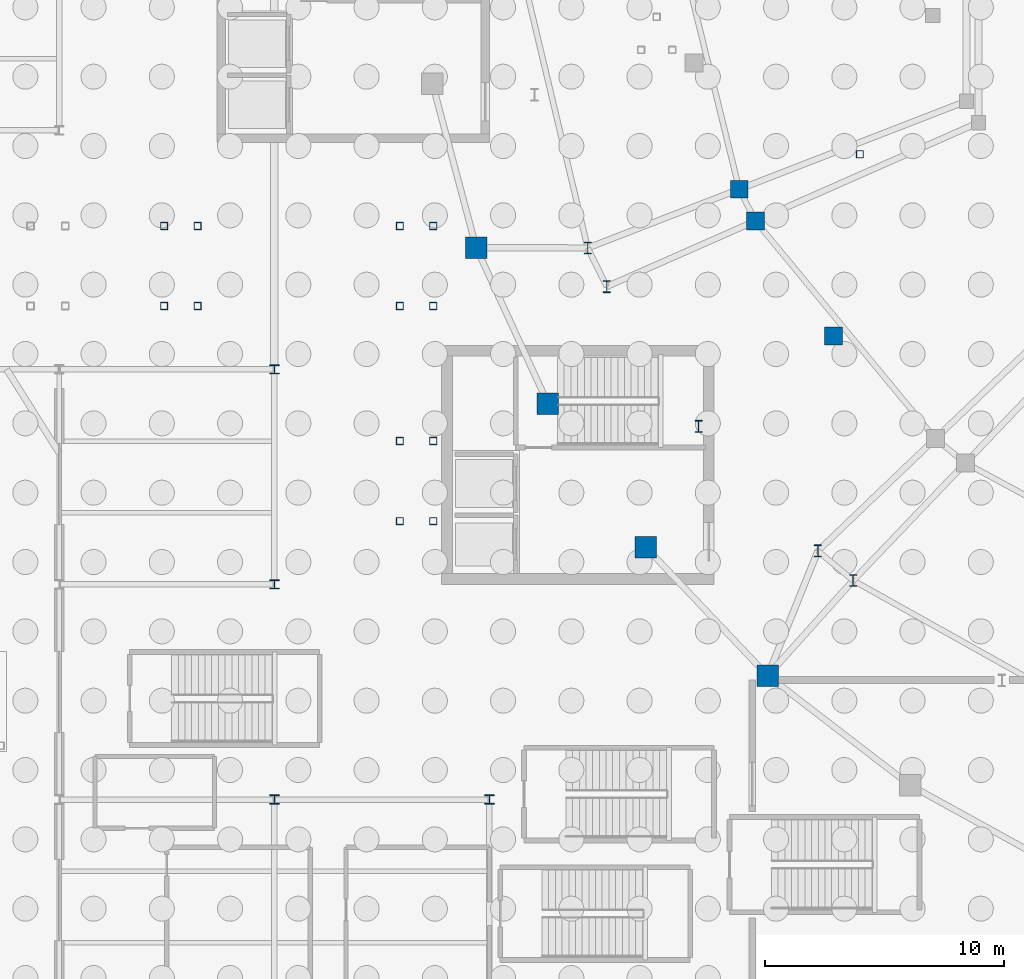
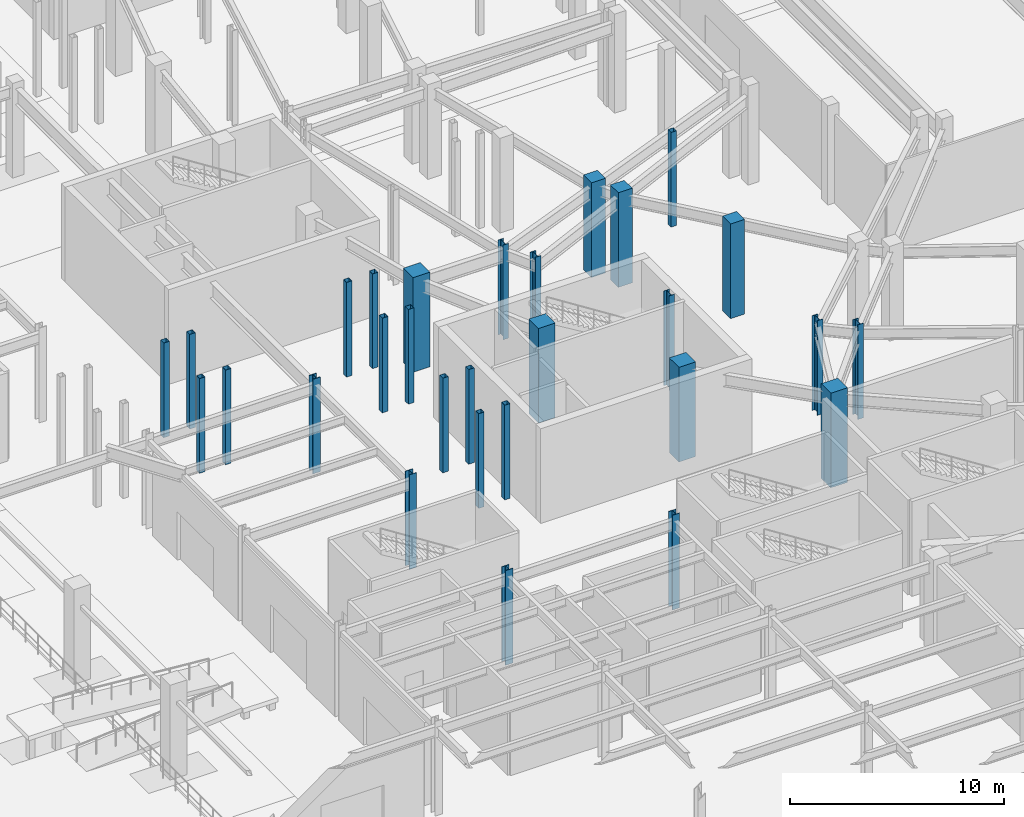
# One storey, part 13 of 56: 29 columns.
"""IFC4 building model written with IfcOpenShell, lengths in metres."""

from ifc_helpers import new_model, si_unit, direction, frame, origin, origin_2d, place, context, subcontext, project, spatial, rectangle, hollow_rectangle, i_section, extrude, material, material_profile, profile_set, type_object, element, save


model = new_model("IFC4")

# Units and contexts
model_context = context("Model", 3, precision=1e-05, world=origin(), true_north=direction((0.0, 1.0)))
body_context = subcontext(model_context, "Body", "Model", "MODEL_VIEW")
ifc_project = project(units=[si_unit("LENGTHUNIT", "METRE"), si_unit("AREAUNIT", "SQUARE_METRE"), si_unit("VOLUMEUNIT", "CUBIC_METRE"), si_unit("PLANEANGLEUNIT", "RADIAN"), si_unit("MASSUNIT", "GRAM", prefix="KILO")], contexts=[model_context])

# Site, building, storey
site_placement = place(None, origin())
site = spatial("IfcSite", under=ifc_project, at=site_placement, CompositionType="ELEMENT")
building_placement = place(site_placement, origin())
building = spatial("IfcBuilding", under=site, at=building_placement, Name="Glasvene Arena", CompositionType="ELEMENT")
storey_placement = place(building_placement, frame((0.0, 0.0, -5.39990234375)))
storey = spatial("IfcBuildingStorey", under=building, at=storey_placement, Name="B1", CompositionType="ELEMENT", Elevation=-5.39990234375)

# Columns
ifc_material_1 = material(Name="Concrete C40/50", Category="concrete")
ifc_material_profile_1 = material_profile(ifc_material_1, rectangle(XDim=0.89990234375, YDim=0.89990234375, at=origin_2d()), Name="RC 900x900")
ifc_profile_set_1 = profile_set([ifc_material_profile_1], Name="Concrete C40/50")
column_type_1 = type_object("IfcColumnType", Name="COL-BOWL-RC900", PredefinedType="COLUMN", material=ifc_profile_set_1)
for number, where, z_axis, x_axis, name in (
    (1, (44.447265625, 59.09423828125, 0.0), (0.0, 0.0, 1.0), (1.0, 0.0, 0.0), "Bowl ring column R23 B1"),
    (2, (47.44970703125, 52.5703125, 0.0), (0.0, 0.0, 1.0), (1.0, 0.0, 0.0), "Bowl ring column R24 B1"),
    (3, (51.54931640625, 46.5498046875, 0.0), (0.0, 0.0, 1.0), (1.0, 0.0, 0.0), "Bowl ring column R25 B1"),
    (4, (56.644775390625, 41.18017578125, 0.0), (0.0, 0.0, 1.0), (1.0, 0.0, 0.0), "Bowl ring column R26 B1"),
):
    element("IfcColumn", number, at=place(storey_placement, frame(where, z_axis=z_axis, x_axis=x_axis)), inside=storey, type_object=column_type_1, Name=name, PredefinedType="COLUMN", context=body_context, shape_type="SweptSolid", body=[
        extrude(rectangle(XDim=0.89990234375, YDim=0.89990234375, at=origin_2d()), origin(), (0.0, 0.0, 1.0), 5.39990234375),
    ])
ifc_material_profile_2 = material_profile(ifc_material_1, rectangle(XDim=0.75, YDim=0.75, at=origin_2d()), Name="RC 750x750")
ifc_profile_set_2 = profile_set([ifc_material_profile_2], Name="Concrete C40/50")
column_type_2 = type_object("IfcColumnType", Name="COL-MID-RC750", PredefinedType="COLUMN", material=ifc_profile_set_2)
for number, where, z_axis, x_axis, name in (
    (5, (55.452880859375, 61.53662109375, 0.0), (0.0, 0.0, 1.0), (1.0, 0.0, 0.0), "Mid-bowl fulcrum column B1 09-2"),
    (6, (56.133544921875, 60.20751953125, 0.0), (0.0, 0.0, 1.0), (1.0, 0.0, 0.0), "Mid-bowl fulcrum column B1 10-1"),
    (7, (59.406494140625, 55.388427734375, 0.0), (0.0, 0.0, 1.0), (1.0, 0.0, 0.0), "Mid-sector fulcrum column B1 10"),
):
    element("IfcColumn", number, at=place(storey_placement, frame(where, z_axis=z_axis, x_axis=x_axis)), inside=storey, type_object=column_type_2, Name=name, PredefinedType="COLUMN", context=body_context, shape_type="SweptSolid", body=[
        extrude(rectangle(XDim=0.75, YDim=0.75, at=origin_2d()), origin(), (0.0, 0.0, 1.0), 5.39990234375),
    ])
ifc_material_2 = material(Name="Steel S355J2", Category="steel")
ifc_material_profile_3 = material_profile(ifc_material_2, i_section(OverallWidth=0.300048828125, OverallDepth=0.5, WebThickness=0.014404296875, FlangeThickness=0.028076171875, FilletRadius=0.027099609375, at=origin_2d()), Name="HEB 500")
ifc_profile_set_3 = profile_set([ifc_material_profile_3], Name="Steel S355J2")
column_type_3 = type_object("IfcColumnType", Name="COL-W-HEB500", PredefinedType="COLUMN", material=ifc_profile_set_3)
for number, where, z_axis, x_axis, name in (
    (8, (49.113037109375, 59.077392578125, 0.0), (0.0, 0.0, 1.0), (1.0, 0.0, 0.0), "Upper raker rear column B1 09-2"),
    (9, (49.911865234375, 57.46337890625, 0.0), (0.0, 0.0, 1.0), (1.0, 0.0, 0.0), "Upper raker rear column B1 10-1"),
    (10, (58.743408203125, 46.40087890625, 0.0), (0.0, 0.0, 1.0), (1.0, 0.0, 0.0), "Upper raker rear column B1 10-2"),
    (11, (60.219482421875, 45.165771484375, 0.0), (0.0, 0.0, 1.0), (1.0, 0.0, 0.0), "Upper raker rear column B1 11-1"),
    (12, (53.75244140625, 51.610595703125, 0.0), (0.0, 0.0, 1.0), (1.0, 0.0, 0.0), "Mid-sector rear raker column B1 10"),
):
    element("IfcColumn", number, at=place(storey_placement, frame(where, z_axis=z_axis, x_axis=x_axis)), inside=storey, type_object=column_type_3, Name=name, PredefinedType="COLUMN", context=body_context, shape_type="SweptSolid", body=[
        extrude(i_section(OverallWidth=0.300048828125, OverallDepth=0.5, WebThickness=0.014404296875, FlangeThickness=0.028076171875, FilletRadius=0.027099609375, at=origin_2d()), origin(), (0.0, 0.0, 1.0), 5.39990234375),
    ])
ifc_material_profile_4 = material_profile(ifc_material_2, hollow_rectangle(XDim=0.300048828125, YDim=0.300048828125, WallThickness=0.012451171875, at=origin_2d()), Name="SHS 300x300x12.5")
ifc_profile_set_4 = profile_set([ifc_material_profile_4], Name="Steel S355J2")
column_type_4 = type_object("IfcColumnType", Name="COL-W-SHS300", PredefinedType="COLUMN", material=ifc_profile_set_4)
for number, where, z_axis, x_axis, name in (
    (13, (60.5, 63.0, 0.0), (0.0, 0.0, 1.0), (1.0, 0.0, 0.0), "Sector 3-3 support column B1-1"),
    (14, (41.25, 47.64990234375, 0.0), (0.0, 0.0, 1.0), (1.0, 0.0, 0.0), "Vomitory landing column VOM-01 B1"),
    (15, (41.25, 51.0, 0.0), (0.0, 0.0, 1.0), (1.0, 0.0, 0.0), "Vomitory landing column VOM-01 B1"),
    (16, (42.64990234375, 47.64990234375, 0.0), (0.0, 0.0, 1.0), (1.0, 0.0, 0.0), "Vomitory landing column VOM-01 B1"),
    (17, (42.64990234375, 51.0, 0.0), (0.0, 0.0, 1.0), (1.0, 0.0, 0.0), "Vomitory landing column VOM-01 B1"),
    (18, (41.25, 56.64990234375, 0.0), (0.0, 0.0, 1.0), (1.0, 0.0, 0.0), "Vomitory landing column VOM-03 B1"),
    (19, (41.25, 60.0, 0.0), (0.0, 0.0, 1.0), (1.0, 0.0, 0.0), "Vomitory landing column VOM-03 B1"),
    (20, (42.64990234375, 56.64990234375, 0.0), (0.0, 0.0, 1.0), (1.0, 0.0, 0.0), "Vomitory landing column VOM-03 B1"),
    (21, (42.64990234375, 60.0, 0.0), (0.0, 0.0, 1.0), (1.0, 0.0, 0.0), "Vomitory landing column VOM-03 B1"),
    (22, (31.389892578125, 56.64990234375, 0.0), (0.0, 0.0, 1.0), (1.0, 0.0, 0.0), "Vomitory landing column VOM-05 B1"),
    (23, (31.389892578125, 60.0, 0.0), (0.0, 0.0, 1.0), (1.0, 0.0, 0.0), "Vomitory landing column VOM-05 B1"),
    (24, (32.7900390625, 56.64990234375, 0.0), (0.0, 0.0, 1.0), (1.0, 0.0, 0.0), "Vomitory landing column VOM-05 B1"),
    (25, (32.7900390625, 60.0, 0.0), (0.0, 0.0, 1.0), (1.0, 0.0, 0.0), "Vomitory landing column VOM-05 B1"),
):
    element("IfcColumn", number, at=place(storey_placement, frame(where, z_axis=z_axis, x_axis=x_axis)), inside=storey, type_object=column_type_4, Name=name, PredefinedType="COLUMN", context=body_context, shape_type="SweptSolid", body=[
        extrude(hollow_rectangle(XDim=0.300048828125, YDim=0.300048828125, WallThickness=0.012451171875, at=origin_2d()), origin(), (0.0, 0.0, 1.0), 5.39990234375),
    ])
ifc_material_profile_5 = material_profile(ifc_material_2, i_section(OverallWidth=0.394775390625, OverallDepth=0.381103515625, WebThickness=0.018310546875, FlangeThickness=0.0302734375, FilletRadius=0.01513671875, at=origin_2d()), Name="UKC 356x406x235")
ifc_profile_set_5 = profile_set([ifc_material_profile_5], Name="Steel S355J2")
column_type_5 = type_object("IfcColumnType", Name="COL-W-UKC235", PredefinedType="COLUMN", material=ifc_profile_set_5)
for number, where, z_axis, x_axis, name in (
    (26, (36.0, 36.0, 0.0), (0.0, 0.0, 1.0), (1.0, 0.0, 0.0), "Grid column 5-5 B1"),
    (27, (36.0, 45.0, 0.0), (0.0, 0.0, 1.0), (1.0, 0.0, 0.0), "Grid column 5-6 B1"),
    (28, (36.0, 54.0, 0.0), (0.0, 0.0, 1.0), (1.0, 0.0, 0.0), "Grid column 5-7 B1"),
    (29, (45.0, 36.0, 0.0), (0.0, 0.0, 1.0), (1.0, 0.0, 0.0), "Grid column 6-5 B1"),
):
    element("IfcColumn", number, at=place(storey_placement, frame(where, z_axis=z_axis, x_axis=x_axis)), inside=storey, type_object=column_type_5, Name=name, PredefinedType="COLUMN", context=body_context, shape_type="SweptSolid", body=[
        extrude(i_section(OverallWidth=0.394775390625, OverallDepth=0.381103515625, WebThickness=0.018310546875, FlangeThickness=0.0302734375, FilletRadius=0.01513671875, at=origin_2d()), origin(), (0.0, 0.0, 1.0), 5.39990234375),
    ])

save(model, "model.ifc")
